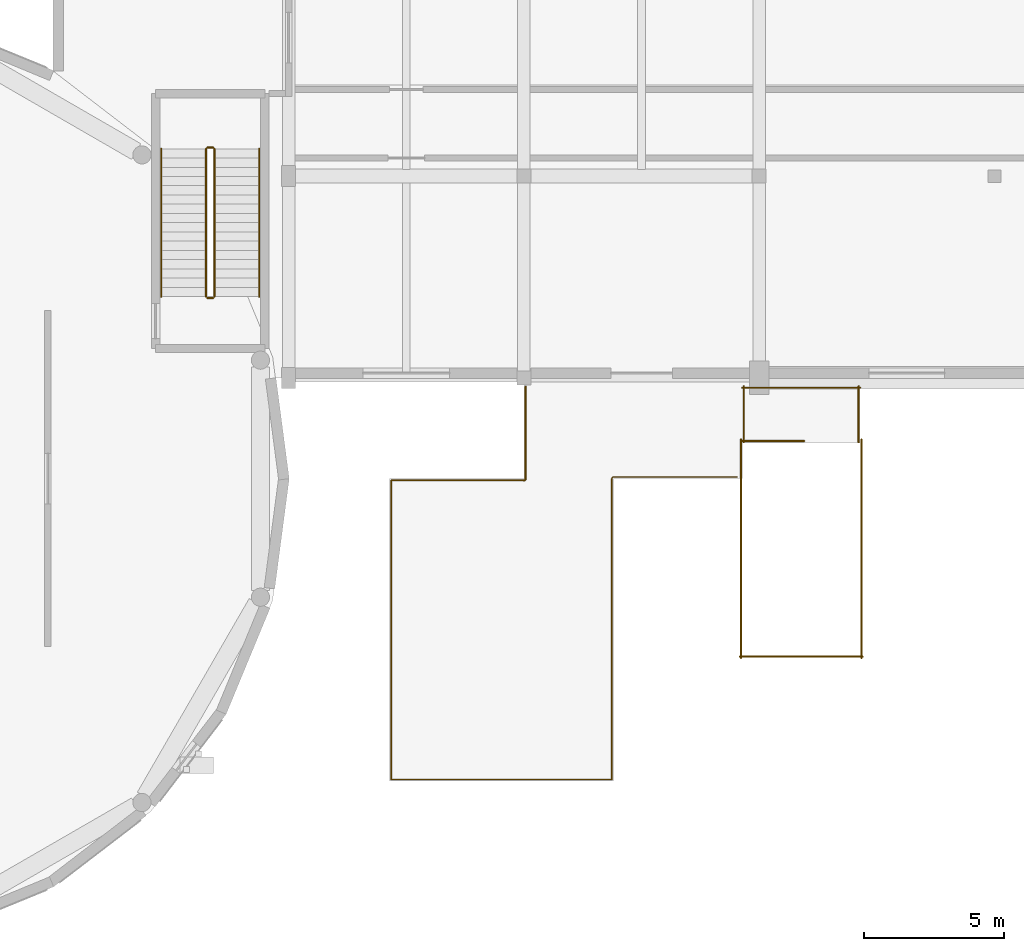
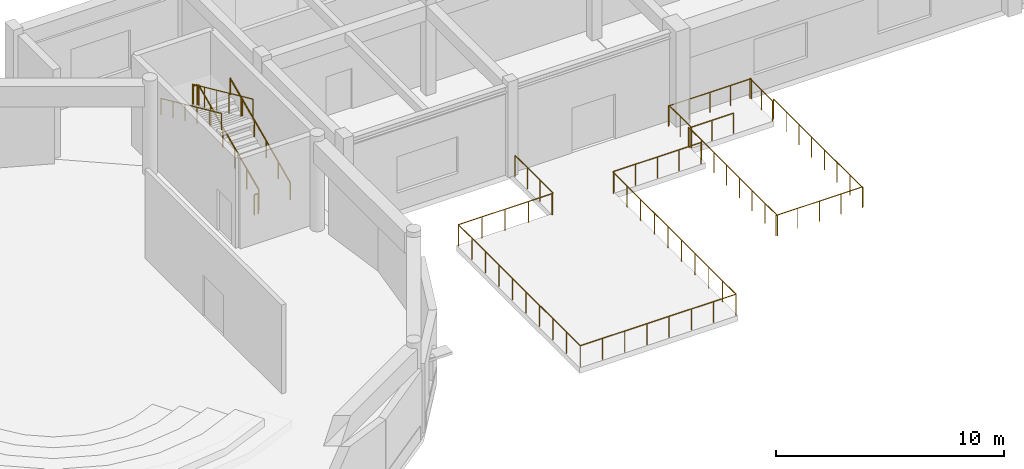
# One storey, part 99 of 121: 15 railings.
"""IFC4 building model written with IfcOpenShell, lengths in metres."""

from ifc_helpers import new_model, si_unit, direction, frame, origin, origin_2d, place, context, subcontext, project, spatial, circle, extrude, material, layer, layer_set, type_object, element, save


model = new_model("IFC4")

# Units and contexts
model_context = context("Model", 3, precision=1e-05, world=origin(), true_north=direction((0.0, 1.0)))
body_context = subcontext(model_context, "Body", "Model", "MODEL_VIEW")
ifc_project = project(units=[si_unit("LENGTHUNIT", "METRE"), si_unit("AREAUNIT", "SQUARE_METRE"), si_unit("VOLUMEUNIT", "CUBIC_METRE"), si_unit("PLANEANGLEUNIT", "RADIAN"), si_unit("MASSUNIT", "GRAM", prefix="KILO")], contexts=[model_context])

# Site, building, storey
site_placement = place(None, origin())
site = spatial("IfcSite", under=ifc_project, at=site_placement, CompositionType="ELEMENT")
building_placement = place(site_placement, origin())
building = spatial("IfcBuilding", under=site, at=building_placement, Name="Malvenik Polytechnic", CompositionType="ELEMENT")
storey_placement = place(building_placement, origin())
storey = spatial("IfcBuildingStorey", under=building, at=storey_placement, Name="L00", CompositionType="ELEMENT", Elevation=0.0)

# Railings
ifc_material_1 = material(Name="Galvanised powder-coated steel and laminated glass guard 1150mm", Category="steel")
ifc_layer_1 = layer(ifc_material_1, 0.070068359375)
ifc_layer_set_1 = layer_set([ifc_layer_1], Name="Galvanised powder-coated steel and laminated glass guard 1150mm")
railing_type_1 = type_object("IfcRailingType", Name="ARC-RL-BAL-1150", PredefinedType="BALUSTRADE", material=ifc_layer_set_1)
railing_1_placement = place(storey_placement, frame((42.0, 17.93994140625, 0.0)))
element("IfcRailing", 1, at=railing_1_placement, inside=storey, type_object=railing_type_1, Name="Terrace Perimeter Balustrade L00 #8", PredefinedType="BALUSTRADE", context=body_context, shape_type="SweptSolid", body=[
    extrude(circle(Radius=0.02392578125, at=origin_2d()), frame((0.0, 0.0, 1.1259765625), z_axis=(0.999133073092, 0.041630544712, 0.0), x_axis=(-0.041630544712, 0.999133073092, 0.0)), (0.0, 0.0, 1.0), 0.005859375),
    extrude(circle(Radius=0.02392578125, at=origin_2d()), frame((0.005859375, 0.000244140625, 1.1259765625), z_axis=(0.986393923832, 0.164398987305, 0.0), x_axis=(-0.164398987305, 0.986393923832, 0.0)), (0.0, 0.0, 1.0), 0.005859375),
    extrude(circle(Radius=0.02392578125, at=origin_2d()), frame((0.01171875, 0.001220703125, 1.1259765625), z_axis=(0.967617272397, 0.252421897147, 0.0), x_axis=(-0.252421897147, 0.967617272397, 0.0)), (0.0, 0.0, 1.0), 0.005859375),
    extrude(circle(Radius=0.02392578125, at=origin_2d()), frame((0.017333984375, 0.002685546875, 1.1259765625), z_axis=(0.944496796706, 0.328520624941, 0.0), x_axis=(-0.328520624941, 0.944496796706, 0.0)), (0.0, 0.0, 1.0), 0.005859375),
    extrude(circle(Radius=0.02392578125, at=origin_2d()), frame((0.02294921875, 0.004638671875, 1.1259765625), z_axis=(0.910366477463, 0.413802944301, 0.0), x_axis=(-0.413802944301, 0.910366477463, 0.0)), (0.0, 0.0, 1.0), 0.005859375),
    extrude(circle(Radius=0.02392578125, at=origin_2d()), frame((0.0283203125, 0.007080078125, 1.1259765625), z_axis=(0.838443616301, 0.544988350595, 0.0), x_axis=(-0.544988350595, 0.838443616301, 0.0)), (0.0, 0.0, 1.0), 0.005859375),
    extrude(circle(Radius=0.02392578125, at=origin_2d()), frame((0.033203125, 0.01025390625, 1.1259765625), z_axis=(0.819231920519, 0.573462344363, 0.0), x_axis=(-0.573462344363, 0.819231920519, 0.0)), (0.0, 0.0, 1.0), 0.005859375),
    extrude(circle(Radius=0.02392578125, at=origin_2d()), frame((0.0380859375, 0.013671875, 1.1259765625), z_axis=(0.747409318684, 0.66436383883, 0.0), x_axis=(-0.66436383883, 0.747409318684, 0.0)), (0.0, 0.0, 1.0), 0.005859375),
    extrude(circle(Radius=0.02392578125, at=origin_2d()), frame((0.04248046875, 0.017578125, 1.1259765625), z_axis=(0.66436383883, 0.747409318684, 0.0), x_axis=(-0.747409318684, 0.66436383883, 0.0)), (0.0, 0.0, 1.0), 0.005859375),
    extrude(circle(Radius=0.02392578125, at=origin_2d()), frame((0.04638671875, 0.02197265625, 1.1259765625), z_axis=(0.573462344363, 0.819231920519, 0.0), x_axis=(-0.819231920519, 0.573462344363, 0.0)), (0.0, 0.0, 1.0), 0.005859375),
    extrude(circle(Radius=0.02392578125, at=origin_2d()), frame((0.0498046875, 0.02685546875, 1.1259765625), z_axis=(0.544988350595, 0.838443616301, 0.0), x_axis=(-0.838443616301, 0.544988350595, 0.0)), (0.0, 0.0, 1.0), 0.005859375),
    extrude(circle(Radius=0.02392578125, at=origin_2d()), frame((0.052978515625, 0.03173828125, 1.1259765625), z_axis=(0.413802944301, 0.910366477463, 0.0), x_axis=(-0.910366477463, 0.413802944301, 0.0)), (0.0, 0.0, 1.0), 0.005859375),
    extrude(circle(Radius=0.02392578125, at=origin_2d()), frame((0.055419921875, 0.037109375, 1.1259765625), z_axis=(0.328520624941, 0.944496796706, 0.0), x_axis=(-0.944496796706, 0.328520624941, 0.0)), (0.0, 0.0, 1.0), 0.005859375),
    extrude(circle(Radius=0.02392578125, at=origin_2d()), frame((0.057373046875, 0.042724609375, 1.1259765625), z_axis=(0.252421897147, 0.967617272397, 0.0), x_axis=(-0.967617272397, 0.252421897147, 0.0)), (0.0, 0.0, 1.0), 0.005859375),
    extrude(circle(Radius=0.02392578125, at=origin_2d()), frame((0.058837890625, 0.04833984375, 1.1259765625), z_axis=(0.164398987305, 0.986393923832, 0.0), x_axis=(-0.986393923832, 0.164398987305, 0.0)), (0.0, 0.0, 1.0), 0.005859375),
    extrude(circle(Radius=0.02392578125, at=origin_2d()), frame((0.059814453125, 0.05419921875, 1.1259765625), z_axis=(0.041630544712, 0.999133073092, 0.0), x_axis=(-0.999133073092, 0.041630544712, 0.0)), (0.0, 0.0, 1.0), 0.005859375),
    extrude(circle(Radius=0.02392578125, at=origin_2d()), frame((0.06005859375, 0.06005859375, 1.1259765625), z_axis=(0.0, 1.0, 0.0), x_axis=(-1.0, 0.0, 0.0)), (0.0, 0.0, 1.0), 3.280029296875),
    extrude(circle(Radius=0.02099609375, at=origin_2d()), origin(), (0.0, 0.0, 1.0), 1.101806640625),
    extrude(circle(Radius=0.02099609375, at=origin_2d()), frame((0.005859375, 0.000244140625, 0.0)), (0.0, 0.0, 1.0), 1.101806640625),
    extrude(circle(Radius=0.02099609375, at=origin_2d()), frame((0.01171875, 0.001220703125, 0.0)), (0.0, 0.0, 1.0), 1.101806640625),
    extrude(circle(Radius=0.02099609375, at=origin_2d()), frame((0.017333984375, 0.002685546875, 0.0)), (0.0, 0.0, 1.0), 1.101806640625),
    extrude(circle(Radius=0.02099609375, at=origin_2d()), frame((0.02294921875, 0.004638671875, 0.0)), (0.0, 0.0, 1.0), 1.101806640625),
    extrude(circle(Radius=0.02099609375, at=origin_2d()), frame((0.0283203125, 0.007080078125, 0.0)), (0.0, 0.0, 1.0), 1.101806640625),
    extrude(circle(Radius=0.02099609375, at=origin_2d()), frame((0.033203125, 0.01025390625, 0.0)), (0.0, 0.0, 1.0), 1.101806640625),
    extrude(circle(Radius=0.02099609375, at=origin_2d()), frame((0.0380859375, 0.013671875, 0.0)), (0.0, 0.0, 1.0), 1.101806640625),
    extrude(circle(Radius=0.02099609375, at=origin_2d()), frame((0.04248046875, 0.017578125, 0.0)), (0.0, 0.0, 1.0), 1.101806640625),
    extrude(circle(Radius=0.02099609375, at=origin_2d()), frame((0.04638671875, 0.02197265625, 0.0)), (0.0, 0.0, 1.0), 1.101806640625),
    extrude(circle(Radius=0.02099609375, at=origin_2d()), frame((0.0498046875, 0.02685546875, 0.0)), (0.0, 0.0, 1.0), 1.101806640625),
    extrude(circle(Radius=0.02099609375, at=origin_2d()), frame((0.052978515625, 0.03173828125, 0.0)), (0.0, 0.0, 1.0), 1.101806640625),
    extrude(circle(Radius=0.02099609375, at=origin_2d()), frame((0.055419921875, 0.037109375, 0.0)), (0.0, 0.0, 1.0), 1.101806640625),
    extrude(circle(Radius=0.02099609375, at=origin_2d()), frame((0.057373046875, 0.042724609375, 0.0)), (0.0, 0.0, 1.0), 1.101806640625),
    extrude(circle(Radius=0.02099609375, at=origin_2d()), frame((0.058837890625, 0.04833984375, 0.0)), (0.0, 0.0, 1.0), 1.101806640625),
    extrude(circle(Radius=0.02099609375, at=origin_2d()), frame((0.059814453125, 0.05419921875, 0.0)), (0.0, 0.0, 1.0), 1.101806640625),
    extrude(circle(Radius=0.02099609375, at=origin_2d()), frame((0.06005859375, 0.06005859375, 0.0)), (0.0, 0.0, 1.0), 1.101806640625),
    extrude(circle(Radius=0.02099609375, at=origin_2d()), frame((0.06005859375, 1.1533203125, 0.0)), (0.0, 0.0, 1.0), 1.101806640625),
    extrude(circle(Radius=0.02099609375, at=origin_2d()), frame((0.06005859375, 2.246826171875, 0.0)), (0.0, 0.0, 1.0), 1.101806640625),
    extrude(circle(Radius=0.02099609375, at=origin_2d()), frame((0.06005859375, 3.340087890625, 0.0)), (0.0, 0.0, 1.0), 1.101806640625),
])
railing_2_placement = place(storey_placement, frame((49.60009765625, 18.06005859375, 0.0)))
element("IfcRailing", 2, at=railing_2_placement, inside=storey, type_object=railing_type_1, Name="Terrace Perimeter Balustrade L00 #9", PredefinedType="BALUSTRADE", context=body_context, shape_type="SweptSolid", body=[
    extrude(circle(Radius=0.02392578125, at=origin_2d()), frame((0.0, 0.0, 1.1259765625), z_axis=(-1.0, 0.0, 0.0), x_axis=(0.0, -1.0, 0.0)), (0.0, 0.0, 1.0), 4.400146484375),
    extrude(circle(Radius=0.02392578125, at=origin_2d()), frame((-4.400146484375, 0.0, 1.1259765625), z_axis=(-0.999133073092, -0.041630544712, 0.0), x_axis=(0.041630544712, -0.999133073092, 0.0)), (0.0, 0.0, 1.0), 0.005859375),
    extrude(circle(Radius=0.02392578125, at=origin_2d()), frame((-4.406005859375, -0.000244140625, 1.1259765625), z_axis=(-0.986393923832, -0.164398987305, 0.0), x_axis=(0.164398987305, -0.986393923832, 0.0)), (0.0, 0.0, 1.0), 0.005859375),
    extrude(circle(Radius=0.02392578125, at=origin_2d()), frame((-4.411865234375, -0.001220703125, 1.1259765625), z_axis=(-0.967617272397, -0.252421897147, 0.0), x_axis=(0.252421897147, -0.967617272397, 0.0)), (0.0, 0.0, 1.0), 0.005859375),
    extrude(circle(Radius=0.02392578125, at=origin_2d()), frame((-4.41748046875, -0.002685546875, 1.1259765625), z_axis=(-0.944496796706, -0.328520624941, 0.0), x_axis=(0.328520624941, -0.944496796706, 0.0)), (0.0, 0.0, 1.0), 0.005859375),
    extrude(circle(Radius=0.02392578125, at=origin_2d()), frame((-4.423095703125, -0.004638671875, 1.1259765625), z_axis=(-0.910366477463, -0.413802944301, 0.0), x_axis=(0.413802944301, -0.910366477463, 0.0)), (0.0, 0.0, 1.0), 0.005859375),
    extrude(circle(Radius=0.02392578125, at=origin_2d()), frame((-4.428466796875, -0.007080078125, 1.1259765625), z_axis=(-0.838443616301, -0.544988350595, 0.0), x_axis=(0.544988350595, -0.838443616301, 0.0)), (0.0, 0.0, 1.0), 0.005859375),
    extrude(circle(Radius=0.02392578125, at=origin_2d()), frame((-4.433349609375, -0.01025390625, 1.1259765625), z_axis=(-0.819231920519, -0.573462344363, 0.0), x_axis=(0.573462344363, -0.819231920519, 0.0)), (0.0, 0.0, 1.0), 0.005859375),
    extrude(circle(Radius=0.02392578125, at=origin_2d()), frame((-4.438232421875, -0.013671875, 1.1259765625), z_axis=(-0.728199992693, -0.685364699005, 0.0), x_axis=(0.685364699005, -0.728199992693, 0.0)), (0.0, 0.0, 1.0), 0.005615234375),
    extrude(circle(Radius=0.02392578125, at=origin_2d()), frame((-4.4423828125, -0.017578125, 1.1259765625), z_axis=(-0.686623532964, -0.72701315255, 0.0), x_axis=(0.72701315255, -0.686623532964, 0.0)), (0.0, 0.0, 1.0), 0.006103515625),
    extrude(circle(Radius=0.02392578125, at=origin_2d()), frame((-4.446533203125, -0.02197265625, 1.1259765625), z_axis=(-0.573462344363, -0.819231920519, 0.0), x_axis=(0.819231920519, -0.573462344363, 0.0)), (0.0, 0.0, 1.0), 0.005859375),
    extrude(circle(Radius=0.02392578125, at=origin_2d()), frame((-4.449951171875, -0.02685546875, 1.1259765625), z_axis=(-0.514495755428, -0.857492925713, 0.0), x_axis=(0.857492925713, -0.514495755428, 0.0)), (0.0, 0.0, 1.0), 0.005615234375),
    extrude(circle(Radius=0.02392578125, at=origin_2d()), frame((-4.452880859375, -0.03173828125, 1.1259765625), z_axis=(-0.4472135955, -0.894427191, 0.0), x_axis=(0.894427191, -0.4472135955, 0.0)), (0.0, 0.0, 1.0), 0.006103515625),
    extrude(circle(Radius=0.02392578125, at=origin_2d()), frame((-4.45556640625, -0.037109375, 1.1259765625), z_axis=(-0.328520624941, -0.944496796706, 0.0), x_axis=(0.944496796706, -0.328520624941, 0.0)), (0.0, 0.0, 1.0), 0.005859375),
    extrude(circle(Radius=0.02392578125, at=origin_2d()), frame((-4.45751953125, -0.042724609375, 1.1259765625), z_axis=(-0.252421897147, -0.967617272397, 0.0), x_axis=(0.967617272397, -0.252421897147, 0.0)), (0.0, 0.0, 1.0), 0.005859375),
    extrude(circle(Radius=0.02392578125, at=origin_2d()), frame((-4.458984375, -0.04833984375, 1.1259765625), z_axis=(-0.124034734589, -0.992277876714, 0.0), x_axis=(0.992277876714, -0.124034734589, 0.0)), (0.0, 0.0, 1.0), 0.005859375),
    extrude(circle(Radius=0.02392578125, at=origin_2d()), frame((-4.459716796875, -0.05419921875, 1.1259765625), z_axis=(-0.083045479854, -0.996545758245, 0.0), x_axis=(0.996545758245, -0.083045479854, 0.0)), (0.0, 0.0, 1.0), 0.005859375),
    extrude(circle(Radius=0.02392578125, at=origin_2d()), frame((-4.460205078125, -0.06005859375, 1.1259765625), z_axis=(0.0, -1.0, 0.0), x_axis=(1.0, 0.0, 0.0)), (0.0, 0.0, 1.0), 10.739990234375),
    extrude(circle(Radius=0.02392578125, at=origin_2d()), frame((-4.460205078125, -10.800048828125, 1.1259765625), z_axis=(-1.0, 0.0, 0.0), x_axis=(0.0, -1.0, 0.0)), (0.0, 0.0, 1.0), 7.8798828125),
    extrude(circle(Radius=0.02392578125, at=origin_2d()), frame((-12.340087890625, -10.800048828125, 1.1259765625), z_axis=(0.0, 1.0, 0.0), x_axis=(-1.0, 0.0, 0.0)), (0.0, 0.0, 1.0), 10.679931640625),
    extrude(circle(Radius=0.02392578125, at=origin_2d()), frame((-12.340087890625, -0.1201171875, 1.1259765625), z_axis=(1.0, 0.0, 0.0), x_axis=(0.0, 1.0, 0.0)), (0.0, 0.0, 1.0), 4.739990234375),
    extrude(circle(Radius=0.02099609375, at=origin_2d()), origin(), (0.0, 0.0, 1.0), 1.101806640625),
    extrude(circle(Radius=0.02099609375, at=origin_2d()), frame((-1.10009765625, 0.0, 0.0)), (0.0, 0.0, 1.0), 1.101806640625),
    extrude(circle(Radius=0.02099609375, at=origin_2d()), frame((-2.2001953125, 0.0, 0.0)), (0.0, 0.0, 1.0), 1.101806640625),
    extrude(circle(Radius=0.02099609375, at=origin_2d()), frame((-3.300048828125, 0.0, 0.0)), (0.0, 0.0, 1.0), 1.101806640625),
    extrude(circle(Radius=0.02099609375, at=origin_2d()), frame((-4.400146484375, 0.0, 0.0)), (0.0, 0.0, 1.0), 1.101806640625),
    extrude(circle(Radius=0.02099609375, at=origin_2d()), frame((-4.406005859375, -0.000244140625, 0.0)), (0.0, 0.0, 1.0), 1.101806640625),
    extrude(circle(Radius=0.02099609375, at=origin_2d()), frame((-4.411865234375, -0.001220703125, 0.0)), (0.0, 0.0, 1.0), 1.101806640625),
    extrude(circle(Radius=0.02099609375, at=origin_2d()), frame((-4.41748046875, -0.002685546875, 0.0)), (0.0, 0.0, 1.0), 1.101806640625),
    extrude(circle(Radius=0.02099609375, at=origin_2d()), frame((-4.423095703125, -0.004638671875, 0.0)), (0.0, 0.0, 1.0), 1.101806640625),
    extrude(circle(Radius=0.02099609375, at=origin_2d()), frame((-4.428466796875, -0.007080078125, 0.0)), (0.0, 0.0, 1.0), 1.101806640625),
    extrude(circle(Radius=0.02099609375, at=origin_2d()), frame((-4.433349609375, -0.01025390625, 0.0)), (0.0, 0.0, 1.0), 1.101806640625),
    extrude(circle(Radius=0.02099609375, at=origin_2d()), frame((-4.438232421875, -0.013671875, 0.0)), (0.0, 0.0, 1.0), 1.101806640625),
    extrude(circle(Radius=0.02099609375, at=origin_2d()), frame((-4.4423828125, -0.017578125, 0.0)), (0.0, 0.0, 1.0), 1.101806640625),
    extrude(circle(Radius=0.02099609375, at=origin_2d()), frame((-4.446533203125, -0.02197265625, 0.0)), (0.0, 0.0, 1.0), 1.101806640625),
    extrude(circle(Radius=0.02099609375, at=origin_2d()), frame((-4.449951171875, -0.02685546875, 0.0)), (0.0, 0.0, 1.0), 1.101806640625),
    extrude(circle(Radius=0.02099609375, at=origin_2d()), frame((-4.452880859375, -0.03173828125, 0.0)), (0.0, 0.0, 1.0), 1.101806640625),
    extrude(circle(Radius=0.02099609375, at=origin_2d()), frame((-4.45556640625, -0.037109375, 0.0)), (0.0, 0.0, 1.0), 1.101806640625),
    extrude(circle(Radius=0.02099609375, at=origin_2d()), frame((-4.45751953125, -0.042724609375, 0.0)), (0.0, 0.0, 1.0), 1.101806640625),
    extrude(circle(Radius=0.02099609375, at=origin_2d()), frame((-4.458984375, -0.04833984375, 0.0)), (0.0, 0.0, 1.0), 1.101806640625),
    extrude(circle(Radius=0.02099609375, at=origin_2d()), frame((-4.459716796875, -0.05419921875, 0.0)), (0.0, 0.0, 1.0), 1.101806640625),
    extrude(circle(Radius=0.02099609375, at=origin_2d()), frame((-4.460205078125, -0.06005859375, 0.0)), (0.0, 0.0, 1.0), 1.101806640625),
    extrude(circle(Radius=0.02099609375, at=origin_2d()), frame((-4.460205078125, -1.25341796875, 0.0)), (0.0, 0.0, 1.0), 1.101806640625),
    extrude(circle(Radius=0.02099609375, at=origin_2d()), frame((-4.460205078125, -2.44677734375, 0.0)), (0.0, 0.0, 1.0), 1.101806640625),
    extrude(circle(Radius=0.02099609375, at=origin_2d()), frame((-4.460205078125, -3.64013671875, 0.0)), (0.0, 0.0, 1.0), 1.101806640625),
    extrude(circle(Radius=0.02099609375, at=origin_2d()), frame((-4.460205078125, -4.83349609375, 0.0)), (0.0, 0.0, 1.0), 1.101806640625),
    extrude(circle(Radius=0.02099609375, at=origin_2d()), frame((-4.460205078125, -6.026611328125, 0.0)), (0.0, 0.0, 1.0), 1.101806640625),
    extrude(circle(Radius=0.02099609375, at=origin_2d()), frame((-4.460205078125, -7.219970703125, 0.0)), (0.0, 0.0, 1.0), 1.101806640625),
    extrude(circle(Radius=0.02099609375, at=origin_2d()), frame((-4.460205078125, -8.413330078125, 0.0)), (0.0, 0.0, 1.0), 1.101806640625),
    extrude(circle(Radius=0.02099609375, at=origin_2d()), frame((-4.460205078125, -9.606689453125, 0.0)), (0.0, 0.0, 1.0), 1.101806640625),
    extrude(circle(Radius=0.02099609375, at=origin_2d()), frame((-4.460205078125, -10.800048828125, 0.0)), (0.0, 0.0, 1.0), 1.101806640625),
    extrude(circle(Radius=0.02099609375, at=origin_2d()), frame((-5.5859375, -10.800048828125, 0.0)), (0.0, 0.0, 1.0), 1.101806640625),
    extrude(circle(Radius=0.02099609375, at=origin_2d()), frame((-6.711669921875, -10.800048828125, 0.0)), (0.0, 0.0, 1.0), 1.101806640625),
    extrude(circle(Radius=0.02099609375, at=origin_2d()), frame((-7.83740234375, -10.800048828125, 0.0)), (0.0, 0.0, 1.0), 1.101806640625),
    extrude(circle(Radius=0.02099609375, at=origin_2d()), frame((-8.962890625, -10.800048828125, 0.0)), (0.0, 0.0, 1.0), 1.101806640625),
    extrude(circle(Radius=0.02099609375, at=origin_2d()), frame((-10.088623046875, -10.800048828125, 0.0)), (0.0, 0.0, 1.0), 1.101806640625),
    extrude(circle(Radius=0.02099609375, at=origin_2d()), frame((-11.21435546875, -10.800048828125, 0.0)), (0.0, 0.0, 1.0), 1.101806640625),
    extrude(circle(Radius=0.02099609375, at=origin_2d()), frame((-12.340087890625, -10.800048828125, 0.0)), (0.0, 0.0, 1.0), 1.101806640625),
    extrude(circle(Radius=0.02099609375, at=origin_2d()), frame((-12.340087890625, -9.61328125, 0.0)), (0.0, 0.0, 1.0), 1.101806640625),
    extrude(circle(Radius=0.02099609375, at=origin_2d()), frame((-12.340087890625, -8.4267578125, 0.0)), (0.0, 0.0, 1.0), 1.101806640625),
    extrude(circle(Radius=0.02099609375, at=origin_2d()), frame((-12.340087890625, -7.239990234375, 0.0)), (0.0, 0.0, 1.0), 1.101806640625),
    extrude(circle(Radius=0.02099609375, at=origin_2d()), frame((-12.340087890625, -6.053466796875, 0.0)), (0.0, 0.0, 1.0), 1.101806640625),
    extrude(circle(Radius=0.02099609375, at=origin_2d()), frame((-12.340087890625, -4.86669921875, 0.0)), (0.0, 0.0, 1.0), 1.101806640625),
    extrude(circle(Radius=0.02099609375, at=origin_2d()), frame((-12.340087890625, -3.68017578125, 0.0)), (0.0, 0.0, 1.0), 1.101806640625),
    extrude(circle(Radius=0.02099609375, at=origin_2d()), frame((-12.340087890625, -2.493408203125, 0.0)), (0.0, 0.0, 1.0), 1.101806640625),
    extrude(circle(Radius=0.02099609375, at=origin_2d()), frame((-12.340087890625, -1.306884765625, 0.0)), (0.0, 0.0, 1.0), 1.101806640625),
    extrude(circle(Radius=0.02099609375, at=origin_2d()), frame((-12.340087890625, -0.1201171875, 0.0)), (0.0, 0.0, 1.0), 1.101806640625),
    extrude(circle(Radius=0.02099609375, at=origin_2d()), frame((-11.155029296875, -0.1201171875, 0.0)), (0.0, 0.0, 1.0), 1.101806640625),
    extrude(circle(Radius=0.02099609375, at=origin_2d()), frame((-9.97021484375, -0.1201171875, 0.0)), (0.0, 0.0, 1.0), 1.101806640625),
    extrude(circle(Radius=0.02099609375, at=origin_2d()), frame((-8.78515625, -0.1201171875, 0.0)), (0.0, 0.0, 1.0), 1.101806640625),
    extrude(circle(Radius=0.02099609375, at=origin_2d()), frame((-7.60009765625, -0.1201171875, 0.0)), (0.0, 0.0, 1.0), 1.101806640625),
])
ifc_material_2 = material(Name="Painted galvanised steel stair well balustrade 1100mm", Category="steel")
ifc_layer_2 = layer(ifc_material_2, 0.050048828125)
ifc_layer_set_2 = layer_set([ifc_layer_2], Name="Painted galvanised steel stair well balustrade 1100mm")
railing_type_2 = type_object("IfcRailingType", Name="ARC-RL-STGD", PredefinedType="BALUSTRADE", material=ifc_layer_set_2)
railing_3_placement = place(storey_placement, frame((30.949951171875, 24.5, 0.14990234375)))
element("IfcRailing", 3, at=railing_3_placement, inside=storey, type_object=railing_type_2, Name="L00 ST-09 stair guard 1", PredefinedType="BALUSTRADE", context=body_context, shape_type="SweptSolid", body=[
    extrude(circle(Radius=0.02392578125, at=origin_2d()), frame((0.0, 0.0, 1.076171875), z_axis=(0.0, 0.910357827898, 0.413821972815), x_axis=(-1.0, 0.0, 0.0)), (0.0, 0.0, 1.0), 5.800048828125),
    extrude(circle(Radius=0.02099609375, at=origin_2d()), origin(), (0.0, 0.0, 1.0), 1.052001953125),
    extrude(circle(Radius=0.02099609375, at=origin_2d()), frame((0.0, 1.055908203125, 0.47998046875)), (0.0, 0.0, 1.0), 1.052001953125),
    extrude(circle(Radius=0.02099609375, at=origin_2d()), frame((0.0, 2.112060546875, 0.9599609375)), (0.0, 0.0, 1.0), 1.052001953125),
    extrude(circle(Radius=0.02099609375, at=origin_2d()), frame((0.0, 3.16796875, 1.440185546875)), (0.0, 0.0, 1.0), 1.052001953125),
    extrude(circle(Radius=0.02099609375, at=origin_2d()), frame((0.0, 4.22412109375, 1.920166015625)), (0.0, 0.0, 1.0), 1.052001953125),
    extrude(circle(Radius=0.02099609375, at=origin_2d()), frame((0.0, 5.280029296875, 2.400146484375)), (0.0, 0.0, 1.0), 1.052001953125),
])
railing_4_placement = place(storey_placement, frame((30.89990234375, 29.830078125, 2.550048828125)))
element("IfcRailing", 4, at=railing_4_placement, inside=storey, type_object=railing_type_2, Name="L00 ST-09 stair guard 2", PredefinedType="BALUSTRADE", context=body_context, shape_type="SweptSolid", body=[
    extrude(circle(Radius=0.02392578125, at=origin_2d()), frame((0.0, 0.0, 1.076171875), z_axis=(-1.0, 0.0, 0.0), x_axis=(0.0, -1.0, 0.0)), (0.0, 0.0, 1.0), 0.199951171875),
    extrude(circle(Radius=0.02099609375, at=origin_2d()), origin(), (0.0, 0.0, 1.0), 1.052001953125),
    extrude(circle(Radius=0.02099609375, at=origin_2d()), frame((-0.199951171875, 0.0, 0.0)), (0.0, 0.0, 1.0), 1.052001953125),
])
railing_5_placement = place(storey_placement, frame((30.64990234375, 29.780029296875, 2.699951171875)))
element("IfcRailing", 5, at=railing_5_placement, inside=storey, type_object=railing_type_2, Name="L00 ST-09 stair guard 3", PredefinedType="BALUSTRADE", context=body_context, shape_type="SweptSolid", body=[
    extrude(circle(Radius=0.02392578125, at=origin_2d()), frame((0.0, 0.0, 1.076171875), z_axis=(0.0, -0.910357827898, 0.413821972815), x_axis=(1.0, 0.0, 0.0)), (0.0, 0.0, 1.0), 5.800048828125),
    extrude(circle(Radius=0.02099609375, at=origin_2d()), origin(), (0.0, 0.0, 1.0), 1.052001953125),
    extrude(circle(Radius=0.02099609375, at=origin_2d()), frame((0.0, -1.055908203125, 0.47998046875)), (0.0, 0.0, 1.0), 1.052001953125),
    extrude(circle(Radius=0.02099609375, at=origin_2d()), frame((0.0, -2.112060546875, 0.9599609375)), (0.0, 0.0, 1.0), 1.052001953125),
    extrude(circle(Radius=0.02099609375, at=origin_2d()), frame((0.0, -3.16796875, 1.440185546875)), (0.0, 0.0, 1.0), 1.052001953125),
    extrude(circle(Radius=0.02099609375, at=origin_2d()), frame((0.0, -4.22412109375, 1.920166015625)), (0.0, 0.0, 1.0), 1.052001953125),
    extrude(circle(Radius=0.02099609375, at=origin_2d()), frame((0.0, -5.280029296875, 2.400146484375)), (0.0, 0.0, 1.0), 1.052001953125),
])
railing_6_placement = place(storey_placement, frame((30.89990234375, 24.449951171875, 0.0)))
element("IfcRailing", 6, at=railing_6_placement, inside=storey, type_object=railing_type_2, Name="L00 ST-09 stair guard 4", PredefinedType="BALUSTRADE", context=body_context, shape_type="SweptSolid", body=[
    extrude(circle(Radius=0.02392578125, at=origin_2d()), frame((0.0, 0.0, 1.076171875), z_axis=(-1.0, 0.0, 0.0), x_axis=(0.0, -1.0, 0.0)), (0.0, 0.0, 1.0), 0.199951171875),
    extrude(circle(Radius=0.02099609375, at=origin_2d()), origin(), (0.0, 0.0, 1.0), 1.052001953125),
    extrude(circle(Radius=0.02099609375, at=origin_2d()), frame((-0.199951171875, 0.0, 0.0)), (0.0, 0.0, 1.0), 1.052001953125),
])
railing_7_placement = place(storey_placement, frame((49.800048828125, 19.35009765625, 0.0)))
element("IfcRailing", 7, at=railing_7_placement, inside=storey, type_object=railing_type_2, Name="L00 ST-10 top well guard 1", PredefinedType="BALUSTRADE", context=body_context, shape_type="SweptSolid", body=[
    extrude(circle(Radius=0.02392578125, at=origin_2d()), frame((0.0, 0.0, 1.076171875), z_axis=(1.0, 0.0, 0.0), x_axis=(0.0, 1.0, 0.0)), (0.0, 0.0, 1.0), 2.199951171875),
    extrude(circle(Radius=0.02099609375, at=origin_2d()), origin(), (0.0, 0.0, 1.0), 1.052001953125),
    extrude(circle(Radius=0.02099609375, at=origin_2d()), frame((1.10009765625, 0.0, 0.0)), (0.0, 0.0, 1.0), 1.052001953125),
    extrude(circle(Radius=0.02099609375, at=origin_2d()), frame((2.199951171875, 0.0, 0.0)), (0.0, 0.0, 1.0), 1.052001953125),
])
for number, where, name in (
    (8, (49.75, 19.39990234375, 0.0), "L00 ST-10 top well guard 2"),
    (9, (54.050048828125, 19.39990234375, 0.0), "L00 ST-10 top well guard 3"),
):
    element("IfcRailing", number, at=place(storey_placement, frame(where)), inside=storey, type_object=railing_type_2, Name=name, PredefinedType="BALUSTRADE", context=body_context, shape_type="SweptSolid", body=[
        extrude(circle(Radius=0.02392578125, at=origin_2d()), frame((0.0, 0.0, 1.076171875), z_axis=(0.0, -1.0, 0.0), x_axis=(1.0, 0.0, 0.0)), (0.0, 0.0, 1.0), 7.7998046875),
        extrude(circle(Radius=0.02099609375, at=origin_2d()), origin(), (0.0, 0.0, 1.0), 1.052001953125),
        extrude(circle(Radius=0.02099609375, at=origin_2d()), frame((0.0, -1.1142578125, 0.0)), (0.0, 0.0, 1.0), 1.052001953125),
        extrude(circle(Radius=0.02099609375, at=origin_2d()), frame((0.0, -2.228515625, 0.0)), (0.0, 0.0, 1.0), 1.052001953125),
        extrude(circle(Radius=0.02099609375, at=origin_2d()), frame((0.0, -3.3427734375, 0.0)), (0.0, 0.0, 1.0), 1.052001953125),
        extrude(circle(Radius=0.02099609375, at=origin_2d()), frame((0.0, -4.45703125, 0.0)), (0.0, 0.0, 1.0), 1.052001953125),
        extrude(circle(Radius=0.02099609375, at=origin_2d()), frame((0.0, -5.5712890625, 0.0)), (0.0, 0.0, 1.0), 1.052001953125),
        extrude(circle(Radius=0.02099609375, at=origin_2d()), frame((0.0, -6.685546875, 0.0)), (0.0, 0.0, 1.0), 1.052001953125),
        extrude(circle(Radius=0.02099609375, at=origin_2d()), frame((0.0, -7.7998046875, 0.0)), (0.0, 0.0, 1.0), 1.052001953125),
    ])
railing_8_placement = place(storey_placement, frame((49.699951171875, 11.64990234375, 0.0)))
element("IfcRailing", 10, at=railing_8_placement, inside=storey, type_object=railing_type_2, Name="L00 ST-10 top well guard 4", PredefinedType="BALUSTRADE", context=body_context, shape_type="SweptSolid", body=[
    extrude(circle(Radius=0.02392578125, at=origin_2d()), frame((0.0, 0.0, 1.076171875), z_axis=(1.0, 0.0, 0.0), x_axis=(0.0, 1.0, 0.0)), (0.0, 0.0, 1.0), 4.400146484375),
    extrude(circle(Radius=0.02099609375, at=origin_2d()), origin(), (0.0, 0.0, 1.0), 1.052001953125),
    extrude(circle(Radius=0.02099609375, at=origin_2d()), frame((1.10009765625, 0.0, 0.0)), (0.0, 0.0, 1.0), 1.052001953125),
    extrude(circle(Radius=0.02099609375, at=origin_2d()), frame((2.2001953125, 0.0, 0.0)), (0.0, 0.0, 1.0), 1.052001953125),
    extrude(circle(Radius=0.02099609375, at=origin_2d()), frame((3.300048828125, 0.0, 0.0)), (0.0, 0.0, 1.0), 1.052001953125),
    extrude(circle(Radius=0.02099609375, at=origin_2d()), frame((4.400146484375, 0.0, 0.0)), (0.0, 0.0, 1.0), 1.052001953125),
])
for number, where, name in (
    (11, (49.85009765625, 21.300048828125, 0.0), "L00 ST-10 top well guard 5"),
    (12, (53.949951171875, 21.300048828125, 0.0), "L00 ST-10 top well guard 6"),
):
    element("IfcRailing", number, at=place(storey_placement, frame(where)), inside=storey, type_object=railing_type_2, Name=name, PredefinedType="BALUSTRADE", context=body_context, shape_type="SweptSolid", body=[
        extrude(circle(Radius=0.02392578125, at=origin_2d()), frame((0.0, 0.0, 1.076171875), z_axis=(0.0, -1.0, 0.0), x_axis=(1.0, 0.0, 0.0)), (0.0, 0.0, 1.0), 2.0),
        extrude(circle(Radius=0.02099609375, at=origin_2d()), origin(), (0.0, 0.0, 1.0), 1.052001953125),
        extrude(circle(Radius=0.02099609375, at=origin_2d()), frame((0.0, -1.0, 0.0)), (0.0, 0.0, 1.0), 1.052001953125),
        extrude(circle(Radius=0.02099609375, at=origin_2d()), frame((0.0, -2.0, 0.0)), (0.0, 0.0, 1.0), 1.052001953125),
    ])
railing_9_placement = place(storey_placement, frame((49.800048828125, 21.25, 0.0)))
element("IfcRailing", 13, at=railing_9_placement, inside=storey, type_object=railing_type_2, Name="L00 ST-10 top well guard 7", PredefinedType="BALUSTRADE", context=body_context, shape_type="SweptSolid", body=[
    extrude(circle(Radius=0.02392578125, at=origin_2d()), frame((0.0, 0.0, 1.076171875), z_axis=(1.0, 0.0, 0.0), x_axis=(0.0, 1.0, 0.0)), (0.0, 0.0, 1.0), 4.199951171875),
    extrude(circle(Radius=0.02099609375, at=origin_2d()), origin(), (0.0, 0.0, 1.0), 1.052001953125),
    extrude(circle(Radius=0.02099609375, at=origin_2d()), frame((1.050048828125, 0.0, 0.0)), (0.0, 0.0, 1.0), 1.052001953125),
    extrude(circle(Radius=0.02099609375, at=origin_2d()), frame((2.10009765625, 0.0, 0.0)), (0.0, 0.0, 1.0), 1.052001953125),
    extrude(circle(Radius=0.02099609375, at=origin_2d()), frame((3.14990234375, 0.0, 0.0)), (0.0, 0.0, 1.0), 1.052001953125),
    extrude(circle(Radius=0.02099609375, at=origin_2d()), frame((4.199951171875, 0.0, 0.0)), (0.0, 0.0, 1.0), 1.052001953125),
])
ifc_material_3 = material(Name="Brushed stainless steel 1.4301 stair wall handrail", Category="steel")
ifc_layer_3 = layer(ifc_material_3, 0.044921875)
ifc_layer_set_3 = layer_set([ifc_layer_3], Name="Brushed stainless steel 1.4301 stair wall handrail")
railing_type_3 = type_object("IfcRailingType", Name="ARC-RL-STHR", PredefinedType="HANDRAIL", material=ifc_layer_set_3)
railing_10_placement = place(storey_placement, frame((32.550048828125, 24.5, 0.14990234375)))
element("IfcRailing", 14, at=railing_10_placement, inside=storey, type_object=railing_type_3, Name="L00 ST-09 stair handrail 1", PredefinedType="HANDRAIL", context=body_context, shape_type="SweptSolid", body=[
    extrude(circle(Radius=0.02392578125, at=origin_2d()), frame((0.0, 0.0, 0.8759765625), z_axis=(0.0, 0.910357827898, 0.413821972815), x_axis=(-1.0, 0.0, 0.0)), (0.0, 0.0, 1.0), 5.800048828125),
    extrude(circle(Radius=0.02099609375, at=origin_2d()), origin(), (0.0, 0.0, 1.0), 0.851806640625),
    extrude(circle(Radius=0.02099609375, at=origin_2d()), frame((0.0, 1.055908203125, 0.47998046875)), (0.0, 0.0, 1.0), 0.851806640625),
    extrude(circle(Radius=0.02099609375, at=origin_2d()), frame((0.0, 2.112060546875, 0.9599609375)), (0.0, 0.0, 1.0), 0.851806640625),
    extrude(circle(Radius=0.02099609375, at=origin_2d()), frame((0.0, 3.16796875, 1.440185546875)), (0.0, 0.0, 1.0), 0.851806640625),
    extrude(circle(Radius=0.02099609375, at=origin_2d()), frame((0.0, 4.22412109375, 1.920166015625)), (0.0, 0.0, 1.0), 0.851806640625),
    extrude(circle(Radius=0.02099609375, at=origin_2d()), frame((0.0, 5.280029296875, 2.400146484375)), (0.0, 0.0, 1.0), 0.851806640625),
])
railing_11_placement = place(storey_placement, frame((29.050048828125, 29.780029296875, 2.699951171875)))
element("IfcRailing", 15, at=railing_11_placement, inside=storey, type_object=railing_type_3, Name="L00 ST-09 stair handrail 2", PredefinedType="HANDRAIL", context=body_context, shape_type="SweptSolid", body=[
    extrude(circle(Radius=0.02392578125, at=origin_2d()), frame((0.0, 0.0, 0.8759765625), z_axis=(0.0, -0.910357827898, 0.413821972815), x_axis=(1.0, 0.0, 0.0)), (0.0, 0.0, 1.0), 5.800048828125),
    extrude(circle(Radius=0.02099609375, at=origin_2d()), origin(), (0.0, 0.0, 1.0), 0.851806640625),
    extrude(circle(Radius=0.02099609375, at=origin_2d()), frame((0.0, -1.055908203125, 0.47998046875)), (0.0, 0.0, 1.0), 0.851806640625),
    extrude(circle(Radius=0.02099609375, at=origin_2d()), frame((0.0, -2.112060546875, 0.9599609375)), (0.0, 0.0, 1.0), 0.851806640625),
    extrude(circle(Radius=0.02099609375, at=origin_2d()), frame((0.0, -3.16796875, 1.440185546875)), (0.0, 0.0, 1.0), 0.851806640625),
    extrude(circle(Radius=0.02099609375, at=origin_2d()), frame((0.0, -4.22412109375, 1.920166015625)), (0.0, 0.0, 1.0), 0.851806640625),
    extrude(circle(Radius=0.02099609375, at=origin_2d()), frame((0.0, -5.280029296875, 2.400146484375)), (0.0, 0.0, 1.0), 0.851806640625),
])

save(model, "model.ifc")
